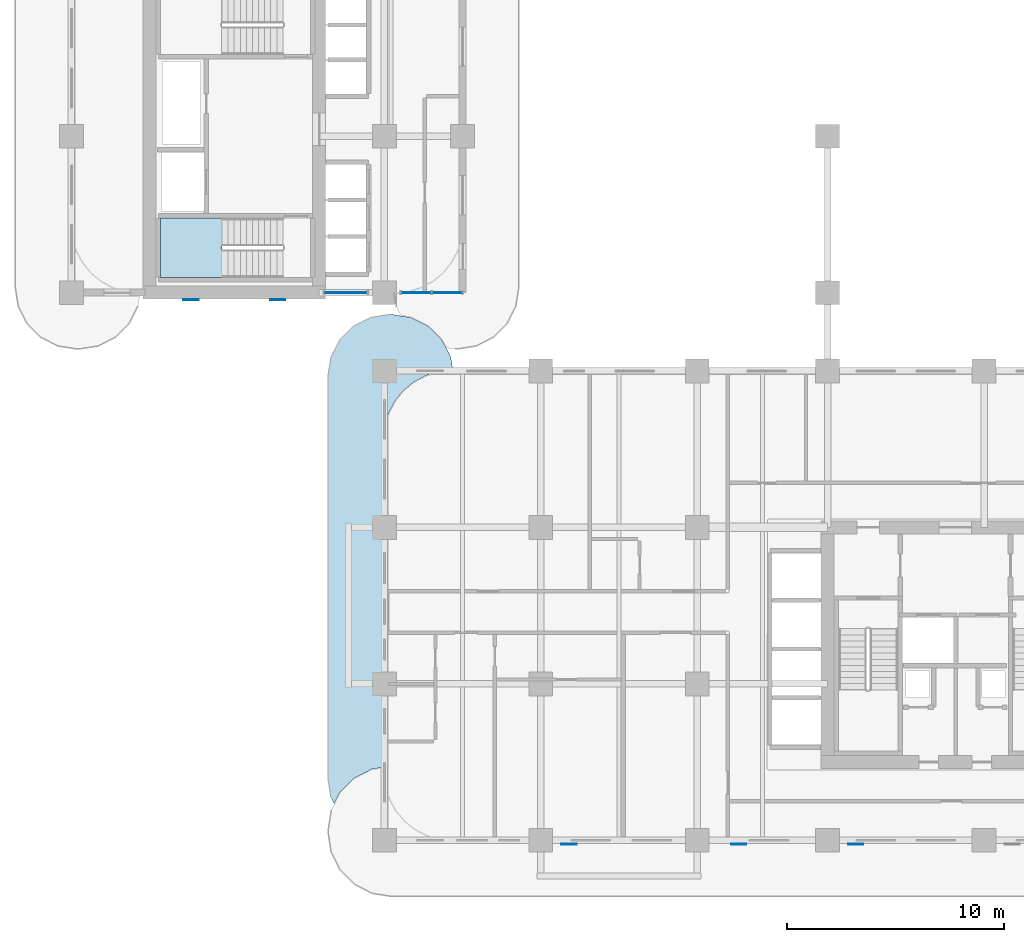
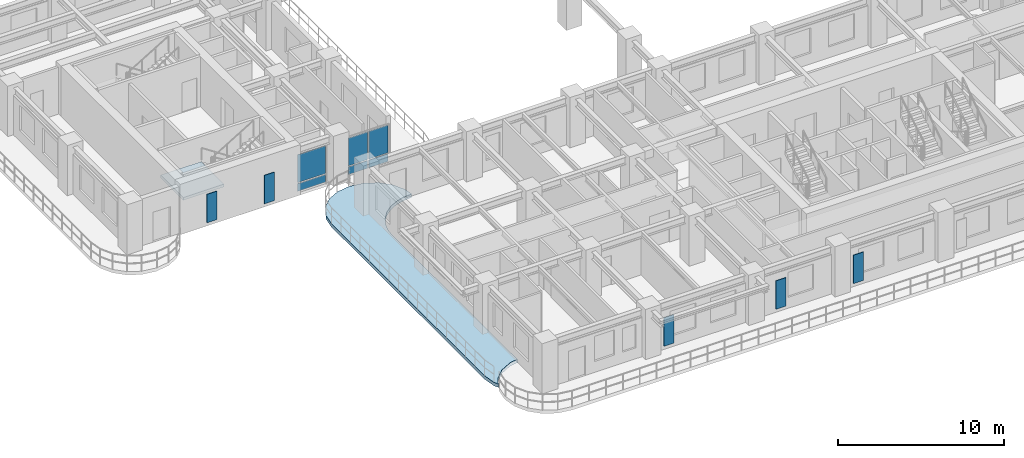
# One storey, part 4 of 19: 11 plates, 2 slabs, 3 elements without a shape of their own.
"""IFC4 building model written with IfcOpenShell, lengths in metres."""

from ifc_helpers import new_model, si_unit, derived_unit, direction, frame, origin, origin_2d, place, context, subcontext, project, spatial, polyline, rectangle, outline, extrude, source, transform, mapped, material, layer, layer_set, type_object, type_shapes, element, aggregate, save


model = new_model("IFC4")

# Units and contexts
model_context = context("Model", 3, precision=1e-05, world=origin(), true_north=direction((0.0, 1.0)))
body_context = subcontext(model_context, "Body", "Model", "MODEL_VIEW")
ifc_project = project(units=[si_unit("LENGTHUNIT", "METRE"), si_unit("AREAUNIT", "SQUARE_METRE"), si_unit("VOLUMEUNIT", "CUBIC_METRE"), si_unit("PLANEANGLEUNIT", "RADIAN"), si_unit("MASSUNIT", "GRAM", prefix="KILO"), si_unit("THERMODYNAMICTEMPERATUREUNIT", "KELVIN"), si_unit("POWERUNIT", "WATT"), derived_unit("THERMALTRANSMITTANCEUNIT", [(si_unit("POWERUNIT", "WATT"), 1), (si_unit("AREAUNIT", "SQUARE_METRE"), -1), (si_unit("THERMODYNAMICTEMPERATUREUNIT", "KELVIN"), -1)])], contexts=[model_context])

# Site, building, storey
site_placement = place(None, origin())
site = spatial("IfcSite", under=ifc_project, at=site_placement, CompositionType="ELEMENT")
building_placement = place(site_placement, origin())
building = spatial("IfcBuilding", under=site, at=building_placement, Name="Zahravan Archway Hotel and Residences", CompositionType="ELEMENT")
storey_placement = place(building_placement, frame((0.0, 0.0, 62.0)))
storey = spatial("IfcBuildingStorey", under=building, at=storey_placement, Name="L14", CompositionType="ELEMENT", Elevation=62.0)

# Slab
ifc_material_1 = material(Name="Concrete C45/55", Category="concrete")
ifc_layer_1 = layer(ifc_material_1, 0.25, Name="Concrete C45/55", Category="concrete")
ifc_layer_set_1 = layer_set([ifc_layer_1], Name="Concrete C45/55")
slab_type_1 = type_object("IfcSlabType", Name="SLB-BALC-250", PredefinedType="FLOOR", material=ifc_layer_set_1)
slab_1_placement = place(storey_placement, frame((0.0, 0.0, -0.25)))
element("IfcSlab", 1, at=slab_1_placement, inside=storey, type_object=slab_type_1, Name="L14 Wing A West Rounded Balcony Band", PredefinedType="FLOOR", context=body_context, shape_type="SweptSolid", body=[
    extrude(outline(polyline([(11.939453125, 1.96923828125), (11.800048828125, 2.85009765625), (11.800048828125, 21.35009765625), (11.939453125, 22.230712890625), (12.34423828125, 23.025146484375), (12.974853515625, 23.65576171875), (13.769287109375, 24.060546875), (14.64990234375, 24.199951171875), (14.75, 24.199951171875), (15.630615234375, 24.060546875), (16.42529296875, 23.65576171875), (17.0556640625, 23.025146484375), (17.46044921875, 22.230712890625), (17.55712890625, 21.6201171875), (17.5, 21.6201171875), (17.498046875, 21.619873046875), (16.893310546875, 21.560302734375), (16.891357421875, 21.56005859375), (16.889404296875, 21.5595703125), (16.307861328125, 21.383056640625), (16.305908203125, 21.382568359375), (16.30419921875, 21.381591796875), (15.768310546875, 21.09521484375), (15.7666015625, 21.09423828125), (15.764892578125, 21.093017578125), (15.29541015625, 20.70751953125), (15.2939453125, 20.7060546875), (15.29248046875, 20.70458984375), (14.906982421875, 20.235107421875), (14.90576171875, 20.2333984375), (14.90478515625, 20.231689453125), (14.618408203125, 19.69580078125), (14.617431640625, 19.694091796875), (14.616943359375, 19.692138671875), (14.4404296875, 19.110595703125), (14.43994140625, 19.108642578125), (14.439697265625, 19.106689453125), (14.380126953125, 18.501953125), (14.3798828125, 18.5), (14.3798828125, 3.361328125), (14.37890625, 3.361328125), (14.376953125, 3.361083984375), (13.835205078125, 3.275390625), (13.833251953125, 3.27490234375), (13.831298828125, 3.2744140625), (13.829345703125, 3.2734375), (13.0068359375, 2.8544921875), (13.005126953125, 2.853515625), (13.00341796875, 2.85205078125), (13.001953125, 2.8505859375), (12.349365234375, 2.197998046875), (12.347900390625, 2.196533203125), (12.3466796875, 2.19482421875), (12.345703125, 2.193115234375), (12.08544921875, 1.6826171875), (11.939453125, 1.96923828125)])), origin(), (0.0, 0.0, 1.0), 0.25),
])

# Stair, slab
ifc_material_2 = material(Name="Concrete C50/60", Category="concrete")
stair_type = type_object("IfcStairType", Name="STR-CORE-1300", PredefinedType="HALF_TURN_STAIR", material=ifc_material_2)
stair_placement = place(storey_placement, origin())
stair = element("IfcStair", 2, at=stair_placement, inside=storey, type_object=stair_type, Name="L14 Core B Exit Stair 1", PredefinedType="HALF_TURN_STAIR")
ifc_layer_2 = layer(ifc_material_2, 0.199951171875, Name="Concrete C50/60", Category="concrete")
ifc_layer_set_2 = layer_set([ifc_layer_2], Name="Concrete C50/60")
slab_type_2 = type_object("IfcSlabType", Name="SLB-LND-200", PredefinedType="LANDING", material=ifc_layer_set_2)
slab_2_placement = place(storey_placement, frame((0.0, 0.0, 1.64990234375)))
slab_2 = element("IfcSlab", 3, at=slab_2_placement, type_object=slab_type_2, Name="ST-B1 landing 1", PredefinedType="LANDING", context=body_context, shape_type="SweptSolid", body=[
    extrude(outline(polyline([(6.929931640625, 28.639892578125), (4.10009765625, 28.639892578125), (4.10009765625, 25.89990234375), (6.929931640625, 25.89990234375), (6.929931640625, 28.639892578125)])), origin(), (0.0, 0.0, 1.0), 0.2001953125),
])
aggregate(stair, [slab_2])

# Plates
ifc_material_3 = material(Name="Perforated Cast Bronze Jali Lattice")
ifc_layer_3 = layer(ifc_material_3, 0.044921875, Name="Perforated Cast Bronze Jali Lattice")
ifc_layer_set_3 = layer_set([ifc_layer_3], Name="Perforated Cast Bronze Jali Lattice")
plate_type_1 = type_object("IfcPlateType", Name="PLT-JALI-BAY", PredefinedType="USERDEFINED", material=ifc_layer_set_3)
shared_shape_1 = source(origin(), body_context, "Body", "SweptSolid", [
    extrude(rectangle(XDim=0.699951171875, YDim=0.044921875, at=origin_2d()), origin(), (0.0, 0.0, 1.0), 2.10009765625),
])
type_shapes(plate_type_1, [shared_shape_1])
for number, where, z_axis, x_axis, name in (
    (4, (5.5, 24.882080078125, 0.25), (0.0, 0.0, 1.0), (1.0, 0.0, 0.0), "L14 Core B South Mughal Jali Screen 1"),
    (5, (9.5, 24.882080078125, 0.25), (0.0, 0.0, 1.0), (1.0, 0.0, 0.0), "L14 Core B South Mughal Jali Screen 2"),
    (6, (22.89990234375, -0.177978515625, 0.25), (0.0, 0.0, 1.0), (1.0, 0.0, 0.0), "L14 Perforated Bronze Jali Pier Screen 01"),
    (7, (30.7080078125, -0.177978515625, 0.25), (0.0, 0.0, 1.0), (1.0, 0.0, 0.0), "L14 Perforated Bronze Jali Pier Screen 02"),
    (8, (36.10009765625, -0.177978515625, 0.25), (0.0, 0.0, 1.0), (1.0, 0.0, 0.0), "L14 Perforated Bronze Jali Pier Screen 03"),
):
    element("IfcPlate", number, at=place(storey_placement, frame(where, z_axis=z_axis, x_axis=x_axis)), inside=storey, type_object=plate_type_1, Name=name, ObjectType="SCREEN", PredefinedType="USERDEFINED", context=body_context, shape_type="MappedRepresentation", body=[
        mapped(shared_shape_1, transform((0.0, 0.0, 0.0), scale=1.0)),
    ])

# Curtain wall, plates
ifc_material_4 = material(Name="Bronze-Anodized Unitised Aluminium & Low-E Glass", Category="aluminium")
ifc_layer_4 = layer(ifc_material_4, 0.179931640625, Name="Bronze-Anodized Unitised Aluminium & Low-E Glass", Category="aluminium")
ifc_layer_set_4 = layer_set([ifc_layer_4], Name="Bronze-Anodized Unitised Aluminium & Low-E Glass")
curtain_wall_type = type_object("IfcCurtainWallType", Name="CW-TWR-FEAT", PredefinedType="NOTDEFINED", material=ifc_layer_set_4)
curtain_wall_1_placement = place(storey_placement, origin())
curtain_wall_1 = element("IfcCurtainWall", 9, at=curtain_wall_1_placement, inside=storey, type_object=curtain_wall_type, Name="L14 Curtain Wall CW-L14-WB-SE-1", PredefinedType="NOTDEFINED")
ifc_material_5 = material(Name="Insulated Terracotta Spandrel Panel", Category="masonry")
ifc_layer_5 = layer(ifc_material_5, 0.0400390625, Name="Insulated Terracotta Spandrel Panel", Category="masonry")
ifc_layer_set_5 = layer_set([ifc_layer_5], Name="Insulated Terracotta Spandrel Panel")
plate_type_2 = type_object("IfcPlateType", Name="CWP-SPN-40", PredefinedType="SHEET", material=ifc_layer_set_5)
shared_shape_2 = source(origin(), body_context, "Body", "SweptSolid", [
    extrude(rectangle(XDim=1.93994140625, YDim=0.0400390625, at=origin_2d()), origin(), (0.0, 0.0, 1.0), 0.552490234375),
])
plate_1_placement = place(storey_placement, frame((12.6298828125, 25.199951171875, 0.10009765625), z_axis=(0.0, 0.0, 1.0), x_axis=(1.0, 0.0, 0.0)))
plate_1 = element("IfcPlate", 10, at=plate_1_placement, type_object=plate_type_2, Name="CW-L14-WB-SE-1 Spandrel Panel 0", PredefinedType="SHEET", context=body_context, shape_type="MappedRepresentation", body=[
    mapped(shared_shape_2, transform((0.0, 0.0, 0.0), scale=1.0)),
])
ifc_material_6 = material(Name="Double-Silver Low-E Insulated Vision Glass", Category="glass")
ifc_layer_6 = layer(ifc_material_6, 0.028076171875, Name="Double-Silver Low-E Insulated Vision Glass", Category="glass")
ifc_layer_set_6 = layer_set([ifc_layer_6], Name="Double-Silver Low-E Insulated Vision Glass")
plate_type_3 = type_object("IfcPlateType", Name="CWP-GLZ-28", PredefinedType="CURTAIN_PANEL", material=ifc_layer_set_6)
shared_shape_3 = source(origin(), body_context, "Body", "SweptSolid", [
    extrude(rectangle(XDim=1.93994140625, YDim=0.028076171875, at=origin_2d()), origin(), (0.0, 0.0, 1.0), 2.052490234375),
])
plate_2_placement = place(storey_placement, frame((12.6298828125, 25.199951171875, 0.732421875), z_axis=(0.0, 0.0, 1.0), x_axis=(1.0, 0.0, 0.0)))
plate_2 = element("IfcPlate", 11, at=plate_2_placement, type_object=plate_type_3, Name="CW-L14-WB-SE-1 Low-E Vision Panel 0", PredefinedType="CURTAIN_PANEL", context=body_context, shape_type="MappedRepresentation", body=[
    mapped(shared_shape_3, transform((0.0, 0.0, 0.0), scale=1.0)),
])
aggregate(curtain_wall_1, [plate_1, plate_2])

curtain_wall_2_placement = place(storey_placement, origin())
curtain_wall_2 = element("IfcCurtainWall", 12, at=curtain_wall_2_placement, inside=storey, type_object=curtain_wall_type, Name="L14 Curtain Wall CW-L14-WB-SE-2", PredefinedType="NOTDEFINED")
shared_shape_4 = source(origin(), body_context, "Body", "SweptSolid", [
    extrude(rectangle(XDim=1.340087890625, YDim=0.0400390625, at=origin_2d()), origin(), (0.0, 0.0, 1.0), 0.552490234375),
])
plate_3_placement = place(storey_placement, frame((15.8701171875, 25.199951171875, 0.10009765625), z_axis=(0.0, 0.0, 1.0), x_axis=(1.0, 0.0, 0.0)))
plate_3 = element("IfcPlate", 13, at=plate_3_placement, type_object=plate_type_2, Name="CW-L14-WB-SE-2 Spandrel Panel 0", PredefinedType="SHEET", context=body_context, shape_type="MappedRepresentation", body=[
    mapped(shared_shape_4, transform((0.0, 0.0, 0.0), scale=1.0)),
])
plate_4_placement = place(storey_placement, frame((17.2900390625, 25.199951171875, 0.10009765625), z_axis=(0.0, 0.0, 1.0), x_axis=(1.0, 0.0, 0.0)))
plate_4 = element("IfcPlate", 14, at=plate_4_placement, type_object=plate_type_2, Name="CW-L14-WB-SE-2 Spandrel Panel 1", PredefinedType="SHEET", context=body_context, shape_type="MappedRepresentation", body=[
    mapped(shared_shape_4, transform((0.0, 0.0, 0.0), scale=1.0)),
])
shared_shape_5 = source(origin(), body_context, "Body", "SweptSolid", [
    extrude(rectangle(XDim=1.340087890625, YDim=0.028076171875, at=origin_2d()), origin(), (0.0, 0.0, 1.0), 2.052490234375),
])
plate_5_placement = place(storey_placement, frame((15.8701171875, 25.199951171875, 0.732421875), z_axis=(0.0, 0.0, 1.0), x_axis=(1.0, 0.0, 0.0)))
plate_5 = element("IfcPlate", 15, at=plate_5_placement, type_object=plate_type_3, Name="CW-L14-WB-SE-2 Low-E Vision Panel 0", PredefinedType="CURTAIN_PANEL", context=body_context, shape_type="MappedRepresentation", body=[
    mapped(shared_shape_5, transform((0.0, 0.0, 0.0), scale=1.0)),
])
plate_6_placement = place(storey_placement, frame((17.2900390625, 25.199951171875, 0.732421875), z_axis=(0.0, 0.0, 1.0), x_axis=(1.0, 0.0, 0.0)))
plate_6 = element("IfcPlate", 16, at=plate_6_placement, type_object=plate_type_3, Name="CW-L14-WB-SE-2 Low-E Vision Panel 1", PredefinedType="CURTAIN_PANEL", context=body_context, shape_type="MappedRepresentation", body=[
    mapped(shared_shape_5, transform((0.0, 0.0, 0.0), scale=1.0)),
])
aggregate(curtain_wall_2, [plate_3, plate_5, plate_4, plate_6])

save(model, "model.ifc")
